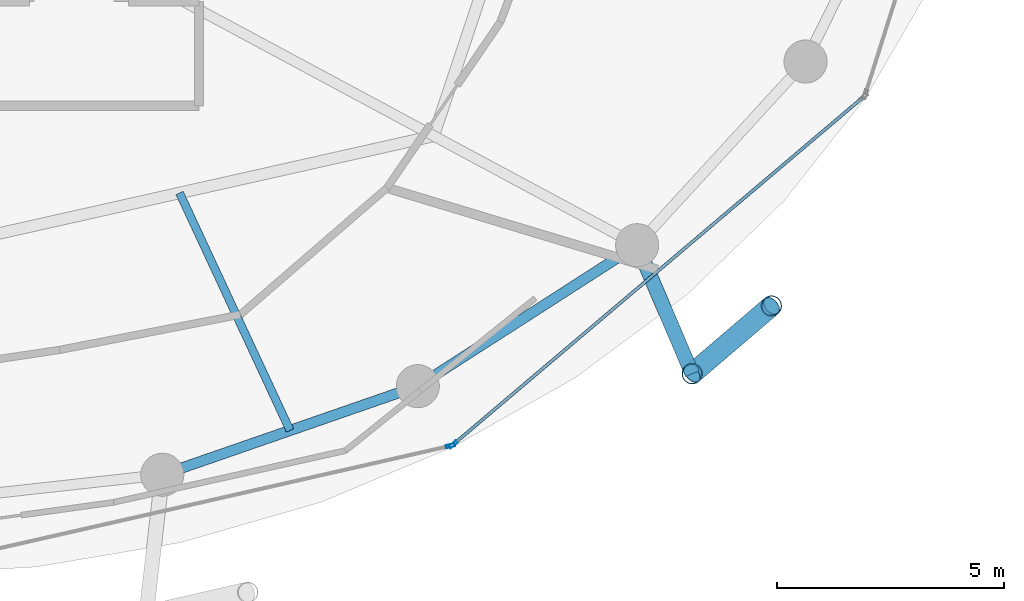
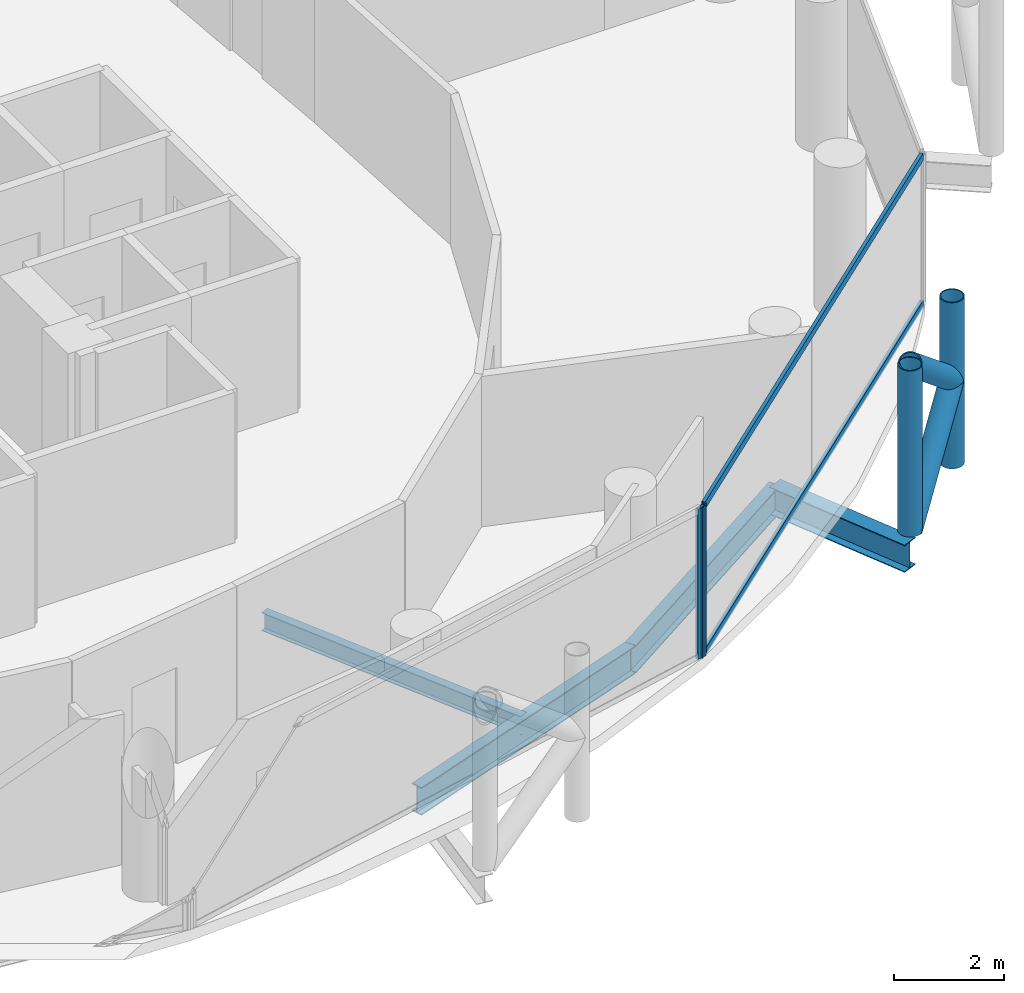
# One storey, part 8 of 26: 8 members, 4 beams, 2 elements without a shape of their own.
"""IFC4 building model written with IfcOpenShell, lengths in metres."""

from ifc_helpers import new_model, si_unit, direction, frame, origin, origin_2d, place, context, subcontext, project, spatial, hollow_rectangle, hollow_circle, i_section, extrude, material, layer, layer_set, material_profile, profile_set, type_object, element, aggregate, save


model = new_model("IFC4")

# Units and contexts
model_context = context("Model", 3, precision=1e-05, world=origin(), true_north=direction((0.0, 1.0)))
body_context = subcontext(model_context, "Body", "Model", "MODEL_VIEW")
ifc_project = project(units=[si_unit("LENGTHUNIT", "METRE"), si_unit("AREAUNIT", "SQUARE_METRE"), si_unit("VOLUMEUNIT", "CUBIC_METRE"), si_unit("PLANEANGLEUNIT", "RADIAN"), si_unit("MASSUNIT", "GRAM", prefix="KILO")], contexts=[model_context])

# Site, building, storey
site_placement = place(None, origin())
site = spatial("IfcSite", under=ifc_project, at=site_placement, CompositionType="ELEMENT")
building_placement = place(site_placement, origin())
building = spatial("IfcBuilding", under=site, at=building_placement, Name="Nuhasar Tower", CompositionType="ELEMENT")
storey_placement = place(building_placement, frame((0.0, 0.0, 192.25)))
storey = spatial("IfcBuildingStorey", under=building, at=storey_placement, Name="L47", CompositionType="ELEMENT", Elevation=192.25)

# Beams
ifc_material_1 = material(Name="Steel S355", Category="steel")
ifc_material_profile_1 = material_profile(ifc_material_1, i_section(OverallWidth=0.177978515625, OverallDepth=0.406005859375, WebThickness=0.0078125, FlangeThickness=0.0126953125, at=origin_2d()), Name="W16X40")
ifc_profile_set_1 = profile_set([ifc_material_profile_1], Name="Steel S355")
beam_type_1 = type_object("IfcBeamType", Name="BM-JST-W16X40", PredefinedType="JOIST", material=ifc_profile_set_1)
beam_1_placement = place(storey_placement, frame((45.424072265625, 14.1279296875, -0.452880859375), z_axis=(0.421729941201, -0.906721487941, 0.0), x_axis=(0.906721487941, 0.421729941201, 0.0)))
element("IfcBeam", 1, at=beam_1_placement, inside=storey, type_object=beam_type_1, Name="L47 Secondary Floor Joist 02", PredefinedType="JOIST", context=body_context, shape_type="SweptSolid", body=[
    extrude(i_section(OverallWidth=0.177978515625, OverallDepth=0.406005859375, WebThickness=0.0078125, FlangeThickness=0.0126953125, at=origin_2d()), origin(), (0.0, 0.0, 1.0), 5.7734375),
])
ifc_material_profile_2 = material_profile(ifc_material_1, i_section(OverallWidth=0.22998046875, OverallDepth=0.616943359375, WebThickness=0.01318359375, FlangeThickness=0.022216796875, at=origin_2d()), Name="W24X94")
ifc_profile_set_2 = profile_set([ifc_material_profile_2], Name="Steel S355")
beam_type_2 = type_object("IfcBeamType", Name="BM-RING-W24X94", PredefinedType="SPANDREL", material=ifc_profile_set_2)
beam_2_placement = place(storey_placement, frame((45.04296875, 7.916015625, -0.55908203125), z_axis=(0.944814057608, 0.327607076458, 0.0), x_axis=(-0.327607076458, 0.944814057608, 0.0)))
element("IfcBeam", 2, at=beam_2_placement, inside=storey, type_object=beam_type_2, Name="L47 Perimeter Ring Spandrel 20", PredefinedType="SPANDREL", context=body_context, shape_type="SweptSolid", body=[
    extrude(i_section(OverallWidth=0.22998046875, OverallDepth=0.616943359375, WebThickness=0.01318359375, FlangeThickness=0.022216796875, at=origin_2d()), origin(), (0.0, 0.0, 1.0), 5.9609375),
])
beam_3_placement = place(storey_placement, frame((50.675048828125, 9.868896484375, -0.55908203125), z_axis=(0.841308170616, 0.540555789955, 0.0), x_axis=(-0.540555789955, 0.841308170616, 0.0)))
element("IfcBeam", 3, at=beam_3_placement, inside=storey, type_object=beam_type_2, Name="L47 Perimeter Ring Spandrel 21", PredefinedType="SPANDREL", context=body_context, shape_type="SweptSolid", body=[
    extrude(i_section(OverallWidth=0.22998046875, OverallDepth=0.616943359375, WebThickness=0.01318359375, FlangeThickness=0.022216796875, at=origin_2d()), origin(), (0.0, 0.0, 1.0), 5.748046875),
])
ifc_material_profile_3 = material_profile(ifc_material_1, i_section(OverallWidth=0.323974609375, OverallDepth=0.611083984375, WebThickness=0.0126953125, FlangeThickness=0.01904296875, at=origin_2d()), Name="W24X104")
ifc_profile_set_3 = profile_set([ifc_material_profile_3], Name="Steel S355")
beam_type_3 = type_object("IfcBeamType", Name="BM-TIE-W24X104", PredefinedType="BEAM", material=ifc_profile_set_3)
beam_4_placement = place(storey_placement, frame((55.510986328125, 12.97607421875, -0.554931640625), z_axis=(0.39330721304, -0.919407111225, 0.0), x_axis=(0.919407111225, 0.39330721304, 0.0)))
element("IfcBeam", 4, at=beam_4_placement, inside=storey, type_object=beam_type_3, Name="L47 Exoskeleton Node Tie Beam 11", PredefinedType="BEAM", context=body_context, shape_type="SweptSolid", body=[
    extrude(i_section(OverallWidth=0.323974609375, OverallDepth=0.611083984375, WebThickness=0.0126953125, FlangeThickness=0.01904296875, at=origin_2d()), origin(), (0.0, 0.0, 1.0), 3.081298828125),
])

# Curtain wall, member
ifc_material_2 = material(Name="Aluminium 6063-T6", Category="aluminium")
ifc_layer = layer(ifc_material_2, 0.199951171875)
ifc_layer_set = layer_set([ifc_layer], Name="Aluminium 6063-T6")
curtain_wall_type = type_object("IfcCurtainWallType", Name="CW-Z2-HTL", PredefinedType="NOTDEFINED", material=ifc_layer_set)
curtain_wall_1_placement = place(storey_placement, origin())
curtain_wall_1 = element("IfcCurtainWall", 5, at=curtain_wall_1_placement, inside=storey, type_object=curtain_wall_type, Name="L47 Unitised Curtain Wall 10", PredefinedType="NOTDEFINED")
ifc_material_profile_4 = material_profile(ifc_material_2, hollow_rectangle(XDim=0.070068359375, YDim=0.199951171875, WallThickness=0.0048828125, at=origin_2d()), Name="CWM-3")
ifc_profile_set_4 = profile_set([ifc_material_profile_4], Name="Aluminium 6063-T6")
member_type_1 = type_object("IfcMemberType", Name="CW-MUL-S3", PredefinedType="MULLION", material=ifc_profile_set_4)
member_1_placement = place(storey_placement, frame((51.395751953125, 8.55419921875, 0.0), z_axis=(0.0, 0.0, 1.0), x_axis=(-0.22139729566, 0.975183694221, 0.0)))
member_1 = element("IfcMember", 6, at=member_1_placement, type_object=member_type_1, Name="CW-Z2 mullion 2", PredefinedType="MULLION", context=body_context, shape_type="SweptSolid", body=[
    extrude(hollow_rectangle(XDim=0.070068359375, YDim=0.199951171875, WallThickness=0.0048828125, at=origin_2d()), origin(), (0.0, 0.0, 1.0), 3.35009765625),
])
aggregate(curtain_wall_1, [member_1])

# Curtain wall, members
curtain_wall_2_placement = place(storey_placement, origin())
curtain_wall_2 = element("IfcCurtainWall", 7, at=curtain_wall_2_placement, inside=storey, type_object=curtain_wall_type, Name="L47 Unitised Curtain Wall 11", PredefinedType="NOTDEFINED")
member_2_placement = place(storey_placement, frame((51.456787109375, 8.584716796875, 0.0), z_axis=(0.0, 0.0, 1.0), x_axis=(-0.646374438324, 0.763020370292, 0.0)))
member_2 = element("IfcMember", 8, at=member_2_placement, type_object=member_type_1, Name="CW-Z2 mullion 1", PredefinedType="MULLION", context=body_context, shape_type="SweptSolid", body=[
    extrude(hollow_rectangle(XDim=0.070068359375, YDim=0.199951171875, WallThickness=0.0048828125, at=origin_2d()), origin(), (0.0, 0.0, 1.0), 3.35009765625),
])
ifc_material_profile_5 = material_profile(ifc_material_2, hollow_rectangle(XDim=0.070068359375, YDim=0.159912109375, WallThickness=0.00439453125, at=origin_2d()), Name="CWT-3")
ifc_profile_set_5 = profile_set([ifc_material_profile_5], Name="Aluminium 6063-T6")
member_type_2 = type_object("IfcMemberType", Name="CW-TRN-S3", PredefinedType="USERDEFINED", material=ifc_profile_set_5)
member_3_placement = place(storey_placement, frame((51.4833984375, 8.607177734375, 0.034912109375), z_axis=(0.763013698099, 0.646382314511, 0.0), x_axis=(-0.646382314511, 0.763013698099, 0.0)))
member_3 = element("IfcMember", 9, at=member_3_placement, type_object=member_type_2, Name="CW-Z2 transom 1.1", ObjectType="TRANSOM", PredefinedType="USERDEFINED", context=body_context, shape_type="SweptSolid", body=[
    extrude(hollow_rectangle(XDim=0.070068359375, YDim=0.159912109375, WallThickness=0.00439453125, at=origin_2d()), origin(), (0.0, 0.0, 1.0), 11.78515625),
])
member_4_placement = place(storey_placement, frame((51.4833984375, 8.607177734375, 3.31494140625), z_axis=(0.763013698099, 0.646382314511, 0.0), x_axis=(-0.646382314511, 0.763013698099, 0.0)))
member_4 = element("IfcMember", 10, at=member_4_placement, type_object=member_type_2, Name="CW-Z2 transom 1.2", ObjectType="TRANSOM", PredefinedType="USERDEFINED", context=body_context, shape_type="SweptSolid", body=[
    extrude(hollow_rectangle(XDim=0.070068359375, YDim=0.159912109375, WallThickness=0.00439453125, at=origin_2d()), origin(), (0.0, 0.0, 1.0), 11.78515625),
])
aggregate(curtain_wall_2, [member_2, member_3, member_4])

# Members
ifc_material_3 = material(Name="Steel S460", Category="steel")
ifc_material_profile_6 = material_profile(ifc_material_3, hollow_circle(Radius=0.228515625, WallThickness=0.022216796875, at=origin_2d()), Name="HSS457X22.2")
ifc_profile_set_6 = profile_set([ifc_material_profile_6], Name="Steel S460")
member_type_3 = type_object("IfcMemberType", Name="EXO-BRONZE-457", PredefinedType="BRACE", material=ifc_profile_set_6)
for number, where, z_axis, x_axis, name in (
    (11, (56.722900390625, 10.14306640625, 0.0), (0.0, 0.0, 1.0), (1.0, 0.0, 0.0), "L47 Exoskeleton Chord Column EC-11A"),
    (12, (58.470947265625, 11.637939453125, 0.0), (0.0, 0.0, 1.0), (1.0, 0.0, 0.0), "L47 Exoskeleton Chord Column EC-11B"),
):
    element("IfcMember", number, at=place(storey_placement, frame(where, z_axis=z_axis, x_axis=x_axis)), inside=storey, type_object=member_type_3, Name=name, PredefinedType="BRACE", context=body_context, shape_type="SweptSolid", body=[
        extrude(hollow_circle(Radius=0.228515625, WallThickness=0.022216796875, at=origin_2d()), origin(), (0.0, 0.0, 1.0), 3.699951171875),
    ])
member_5_placement = place(storey_placement, frame((56.722900390625, 10.14306640625, 0.0), z_axis=(0.592195175458, 0.506426125604, 0.626767463634), x_axis=(-0.649925557156, 0.7599978751, 0.0)))
element("IfcMember", 13, at=member_5_placement, inside=storey, type_object=member_type_3, Name="L47 Bronze Diagrid Brace W1-11", PredefinedType="BRACE", context=body_context, shape_type="SweptSolid", body=[
    extrude(hollow_circle(Radius=0.228515625, WallThickness=0.022216796875, at=origin_2d()), origin(), (0.0, 0.0, 1.0), 2.951904296875),
])
member_6_placement = place(storey_placement, frame((58.470947265625, 11.637939453125, 1.85009765625), z_axis=(-0.592225874743, -0.506452378638, 0.626717242029), x_axis=(0.649925557156, -0.7599978751, 0.0)))
element("IfcMember", 14, at=member_6_placement, inside=storey, type_object=member_type_3, Name="L47 Bronze Diagrid Brace W2-11", PredefinedType="BRACE", context=body_context, shape_type="SweptSolid", body=[
    extrude(hollow_circle(Radius=0.228515625, WallThickness=0.022216796875, at=origin_2d()), origin(), (0.0, 0.0, 1.0), 2.95166015625),
])

save(model, "model.ifc")
